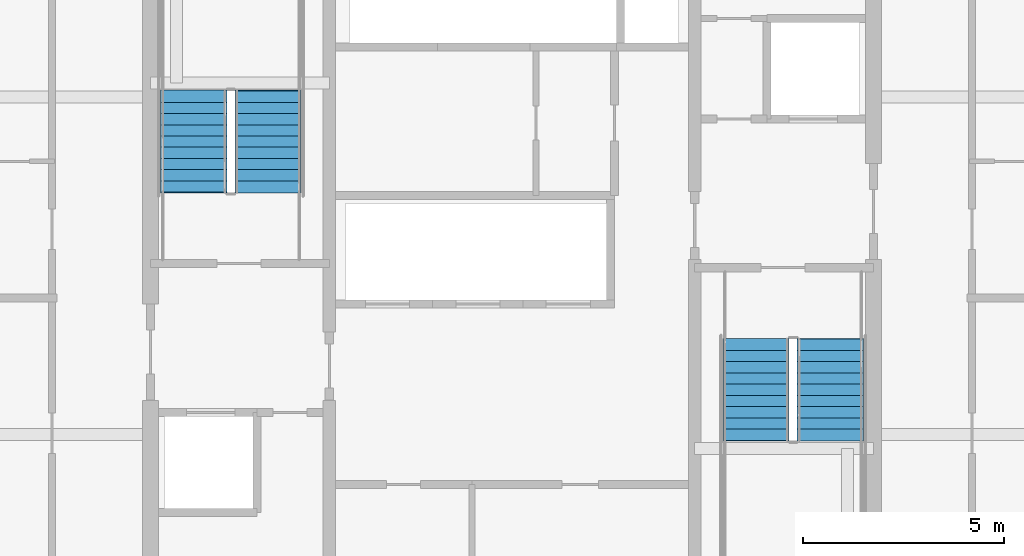
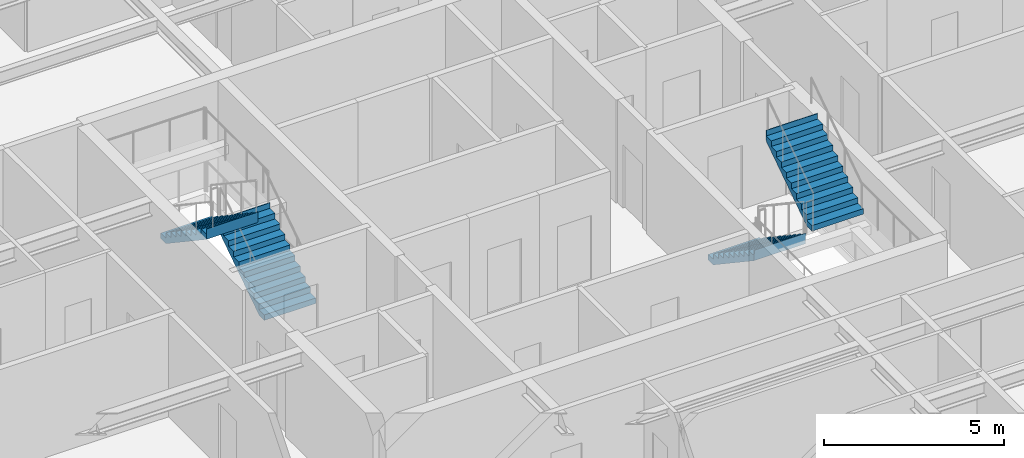
# One storey, part 29 of 34: 4 stair flights, 2 elements without a shape of their own.
"""IFC4 building model written with IfcOpenShell, lengths in metres."""

from ifc_helpers import new_model, si_unit, direction, frame, origin, place, context, subcontext, project, spatial, polygons, material, type_object, element, aggregate, save


model = new_model("IFC4")

# Units and contexts
model_context = context("Model", 3, precision=1e-05, world=origin(), true_north=direction((0.0, 1.0)))
body_context = subcontext(model_context, "Body", "Model", "MODEL_VIEW")
ifc_project = project(units=[si_unit("LENGTHUNIT", "METRE"), si_unit("AREAUNIT", "SQUARE_METRE"), si_unit("VOLUMEUNIT", "CUBIC_METRE"), si_unit("PLANEANGLEUNIT", "RADIAN"), si_unit("MASSUNIT", "GRAM", prefix="KILO")], contexts=[model_context])

# Site, building, storey
site_placement = place(None, origin())
site = spatial("IfcSite", under=ifc_project, at=site_placement, CompositionType="ELEMENT")
building_placement = place(site_placement, origin())
building = spatial("IfcBuilding", under=site, at=building_placement, Name="Serunith Strait Residences", CompositionType="ELEMENT")
storey_placement = place(building_placement, frame((0.0, 0.0, 180.14990234375)))
storey = spatial("IfcBuildingStorey", under=building, at=storey_placement, Name="L45", CompositionType="ELEMENT", Elevation=180.14990234375)

# Stair, stair flights
ifc_material = material(Name="Concrete C50/60", Category="concrete")
stair_type_1 = type_object("IfcStairType", Name="STR-CORE-1", PredefinedType="HALF_TURN_STAIR", material=ifc_material)
stair_1_placement = place(storey_placement, origin())
stair_1 = element("IfcStair", 1, at=stair_1_placement, inside=storey, type_object=stair_type_1, Name="L45 Protected Escape Stair ST-1", PredefinedType="HALF_TURN_STAIR")
stair_flight_type_1 = type_object("IfcStairFlightType", Name="FLT-CORE-1", PredefinedType="STRAIGHT", material=ifc_material)
stair_flight_1_placement = place(storey_placement, frame((26.324951171875, 27.030029296875, 0.0), z_axis=(0.0, 0.0, 1.0), x_axis=(0.0, 1.0, 0.0)))
stair_flight_1 = element("IfcStairFlight", 2, at=stair_flight_1_placement, type_object=stair_flight_type_1, Name="ST-1 flight 1", NumberOfRisers=10, NumberOfTreads=9, PredefinedType="STRAIGHT", RiserHeight=0.1875, TreadLength=0.28, context=body_context, shape_type="Tessellation", body=[
    polygons([(-0.02001953125, -0.824951171875, 0.0), (-0.02001953125, -0.824951171875, 0.1875), (0.280029296875, -0.824951171875, 0.1875), (0.280029296875, -0.824951171875, 0.375), (0.56005859375, -0.824951171875, 0.375), (0.56005859375, -0.824951171875, 0.5625), (0.840087890625, -0.824951171875, 0.5625), (0.840087890625, -0.824951171875, 0.75), (1.1201171875, -0.824951171875, 0.75), (1.1201171875, -0.824951171875, 0.9375), (1.39990234375, -0.824951171875, 0.9375), (1.39990234375, -0.824951171875, 1.125), (1.679931640625, -0.824951171875, 1.125), (1.679931640625, -0.824951171875, 1.3125), (1.9599609375, -0.824951171875, 1.3125), (1.9599609375, -0.824951171875, 1.5), (2.239990234375, -0.824951171875, 1.5), (2.239990234375, -0.824951171875, 1.6875), (2.52001953125, -0.824951171875, 1.6875), (2.52001953125, -0.824951171875, 1.875), (2.5400390625, -0.824951171875, 1.875), (2.5400390625, -0.824951171875, 1.81494140625), (2.52001953125, -0.824951171875, 1.507080078125), (0.26953125, -0.824951171875, 0.0), (-0.02001953125, -0.41259765625, 0.0), (-0.02001953125, -0.41259765625, 0.1875), (0.280029296875, -0.41259765625, 0.1875), (0.280029296875, -0.41259765625, 0.375), (0.56005859375, -0.41259765625, 0.375), (0.56005859375, -0.41259765625, 0.5625), (0.840087890625, -0.41259765625, 0.5625), (0.840087890625, -0.41259765625, 0.75), (1.1201171875, -0.41259765625, 0.75), (1.1201171875, -0.41259765625, 0.9375), (1.39990234375, -0.41259765625, 0.9375), (1.39990234375, -0.41259765625, 1.125), (1.679931640625, -0.41259765625, 1.125), (1.679931640625, -0.41259765625, 1.3125), (1.9599609375, -0.41259765625, 1.3125), (1.9599609375, -0.41259765625, 1.5), (2.239990234375, -0.41259765625, 1.5), (2.239990234375, -0.41259765625, 1.6875), (2.52001953125, -0.41259765625, 1.6875), (2.52001953125, -0.41259765625, 1.875), (2.5400390625, -0.41259765625, 1.875), (2.5400390625, -0.41259765625, 1.81494140625), (2.52001953125, -0.41259765625, 1.507080078125), (0.26953125, -0.41259765625, 0.0), (-0.02001953125, 0.0, 0.0), (-0.02001953125, 0.0, 0.1875), (0.280029296875, 0.0, 0.1875), (0.280029296875, 0.0, 0.375), (0.56005859375, 0.0, 0.375), (0.56005859375, 0.0, 0.5625), (0.840087890625, 0.0, 0.5625), (0.840087890625, 0.0, 0.75), (1.1201171875, 0.0, 0.75), (1.1201171875, 0.0, 0.9375), (1.39990234375, 0.0, 0.9375), (1.39990234375, 0.0, 1.125), (1.679931640625, 0.0, 1.125), (1.679931640625, 0.0, 1.3125), (1.9599609375, 0.0, 1.3125), (1.9599609375, 0.0, 1.5), (2.239990234375, 0.0, 1.5), (2.239990234375, 0.0, 1.6875), (2.52001953125, 0.0, 1.6875), (2.52001953125, 0.0, 1.875), (2.5400390625, 0.0, 1.875), (2.5400390625, 0.0, 1.81494140625), (2.52001953125, 0.0, 1.507080078125), (0.26953125, 0.0, 0.0), (-0.02001953125, 0.41259765625, 0.0), (-0.02001953125, 0.41259765625, 0.1875), (0.280029296875, 0.41259765625, 0.1875), (0.280029296875, 0.41259765625, 0.375), (0.56005859375, 0.41259765625, 0.375), (0.56005859375, 0.41259765625, 0.5625), (0.840087890625, 0.41259765625, 0.5625), (0.840087890625, 0.41259765625, 0.75), (1.1201171875, 0.41259765625, 0.75), (1.1201171875, 0.41259765625, 0.9375), (1.39990234375, 0.41259765625, 0.9375), (1.39990234375, 0.41259765625, 1.125), (1.679931640625, 0.41259765625, 1.125), (1.679931640625, 0.41259765625, 1.3125), (1.9599609375, 0.41259765625, 1.3125), (1.9599609375, 0.41259765625, 1.5), (2.239990234375, 0.41259765625, 1.5), (2.239990234375, 0.41259765625, 1.6875), (2.52001953125, 0.41259765625, 1.6875), (2.52001953125, 0.41259765625, 1.875), (2.5400390625, 0.41259765625, 1.875), (2.5400390625, 0.41259765625, 1.81494140625), (2.52001953125, 0.41259765625, 1.507080078125), (0.26953125, 0.41259765625, 0.0), (-0.02001953125, 0.824951171875, 0.0), (-0.02001953125, 0.824951171875, 0.1875), (0.280029296875, 0.824951171875, 0.1875), (0.280029296875, 0.824951171875, 0.375), (0.56005859375, 0.824951171875, 0.375), (0.56005859375, 0.824951171875, 0.5625), (0.840087890625, 0.824951171875, 0.5625), (0.840087890625, 0.824951171875, 0.75), (1.1201171875, 0.824951171875, 0.75), (1.1201171875, 0.824951171875, 0.9375), (1.39990234375, 0.824951171875, 0.9375), (1.39990234375, 0.824951171875, 1.125), (1.679931640625, 0.824951171875, 1.125), (1.679931640625, 0.824951171875, 1.3125), (1.9599609375, 0.824951171875, 1.3125), (1.9599609375, 0.824951171875, 1.5), (2.239990234375, 0.824951171875, 1.5), (2.239990234375, 0.824951171875, 1.6875), (2.52001953125, 0.824951171875, 1.6875), (2.52001953125, 0.824951171875, 1.875), (2.5400390625, 0.824951171875, 1.875), (2.5400390625, 0.824951171875, 1.81494140625), (2.52001953125, 0.824951171875, 1.507080078125), (0.26953125, 0.824951171875, 0.0)], [[[1, 2, 26, 25]], [[2, 3, 27, 26]], [[3, 4, 28, 27]], [[4, 5, 29, 28]], [[5, 6, 30, 29]], [[6, 7, 31, 30]], [[7, 8, 32, 31]], [[8, 9, 33, 32]], [[9, 10, 34, 33]], [[10, 11, 35, 34]], [[11, 12, 36, 35]], [[12, 13, 37, 36]], [[13, 14, 38, 37]], [[14, 15, 39, 38]], [[15, 16, 40, 39]], [[16, 17, 41, 40]], [[17, 18, 42, 41]], [[18, 19, 43, 42]], [[19, 20, 44, 43]], [[20, 21, 45, 44]], [[21, 22, 46, 45]], [[22, 23, 47, 46]], [[23, 24, 48, 47]], [[24, 1, 25, 48]], [[25, 26, 50, 49]], [[26, 27, 51, 50]], [[27, 28, 52, 51]], [[28, 29, 53, 52]], [[29, 30, 54, 53]], [[30, 31, 55, 54]], [[31, 32, 56, 55]], [[32, 33, 57, 56]], [[33, 34, 58, 57]], [[34, 35, 59, 58]], [[35, 36, 60, 59]], [[36, 37, 61, 60]], [[37, 38, 62, 61]], [[38, 39, 63, 62]], [[39, 40, 64, 63]], [[40, 41, 65, 64]], [[41, 42, 66, 65]], [[42, 43, 67, 66]], [[43, 44, 68, 67]], [[44, 45, 69, 68]], [[45, 46, 70, 69]], [[46, 47, 71, 70]], [[47, 48, 72, 71]], [[48, 25, 49, 72]], [[49, 50, 74, 73]], [[50, 51, 75, 74]], [[51, 52, 76, 75]], [[52, 53, 77, 76]], [[53, 54, 78, 77]], [[54, 55, 79, 78]], [[55, 56, 80, 79]], [[56, 57, 81, 80]], [[57, 58, 82, 81]], [[58, 59, 83, 82]], [[59, 60, 84, 83]], [[60, 61, 85, 84]], [[61, 62, 86, 85]], [[62, 63, 87, 86]], [[63, 64, 88, 87]], [[64, 65, 89, 88]], [[65, 66, 90, 89]], [[66, 67, 91, 90]], [[67, 68, 92, 91]], [[68, 69, 93, 92]], [[69, 70, 94, 93]], [[70, 71, 95, 94]], [[71, 72, 96, 95]], [[72, 49, 73, 96]], [[73, 74, 98, 97]], [[74, 75, 99, 98]], [[75, 76, 100, 99]], [[76, 77, 101, 100]], [[77, 78, 102, 101]], [[78, 79, 103, 102]], [[79, 80, 104, 103]], [[80, 81, 105, 104]], [[81, 82, 106, 105]], [[82, 83, 107, 106]], [[83, 84, 108, 107]], [[84, 85, 109, 108]], [[85, 86, 110, 109]], [[86, 87, 111, 110]], [[87, 88, 112, 111]], [[88, 89, 113, 112]], [[89, 90, 114, 113]], [[90, 91, 115, 114]], [[91, 92, 116, 115]], [[92, 93, 117, 116]], [[93, 94, 118, 117]], [[94, 95, 119, 118]], [[95, 96, 120, 119]], [[96, 73, 97, 120]], [[24, 23, 22, 21, 20, 19, 18, 17, 16, 15, 14, 13, 12, 11, 10, 9, 8, 7, 6, 5, 4, 3, 2, 1]], [[97, 98, 99, 100, 101, 102, 103, 104, 105, 106, 107, 108, 109, 110, 111, 112, 113, 114, 115, 116, 117, 118, 119, 120]]], closed=True),
])
stair_flight_2_placement = place(storey_placement, frame((24.47509765625, 29.550048828125, 1.875), z_axis=(0.0, 0.0, 1.0), x_axis=(0.0, -1.0, 0.0)))
stair_flight_2 = element("IfcStairFlight", 3, at=stair_flight_2_placement, type_object=stair_flight_type_1, Name="ST-1 flight 2", NumberOfRisers=10, NumberOfTreads=9, PredefinedType="STRAIGHT", RiserHeight=0.1875, TreadLength=0.28, context=body_context, shape_type="Tessellation", body=[
    polygons([(-0.02001953125, -0.824951171875, 0.0), (-0.02001953125, -0.824951171875, 0.1875), (0.280029296875, -0.824951171875, 0.1875), (0.280029296875, -0.824951171875, 0.375), (0.56005859375, -0.824951171875, 0.375), (0.56005859375, -0.824951171875, 0.5625), (0.840087890625, -0.824951171875, 0.5625), (0.840087890625, -0.824951171875, 0.75), (1.1201171875, -0.824951171875, 0.75), (1.1201171875, -0.824951171875, 0.9375), (1.39990234375, -0.824951171875, 0.9375), (1.39990234375, -0.824951171875, 1.125), (1.679931640625, -0.824951171875, 1.125), (1.679931640625, -0.824951171875, 1.3125), (1.9599609375, -0.824951171875, 1.3125), (1.9599609375, -0.824951171875, 1.5), (2.239990234375, -0.824951171875, 1.5), (2.239990234375, -0.824951171875, 1.6875), (2.52001953125, -0.824951171875, 1.6875), (2.52001953125, -0.824951171875, 1.875), (2.5400390625, -0.824951171875, 1.875), (2.5400390625, -0.824951171875, 1.81494140625), (2.52001953125, -0.824951171875, 1.507080078125), (0.26953125, -0.824951171875, 0.0), (-0.02001953125, -0.41259765625, 0.0), (-0.02001953125, -0.41259765625, 0.1875), (0.280029296875, -0.41259765625, 0.1875), (0.280029296875, -0.41259765625, 0.375), (0.56005859375, -0.41259765625, 0.375), (0.56005859375, -0.41259765625, 0.5625), (0.840087890625, -0.41259765625, 0.5625), (0.840087890625, -0.41259765625, 0.75), (1.1201171875, -0.41259765625, 0.75), (1.1201171875, -0.41259765625, 0.9375), (1.39990234375, -0.41259765625, 0.9375), (1.39990234375, -0.41259765625, 1.125), (1.679931640625, -0.41259765625, 1.125), (1.679931640625, -0.41259765625, 1.3125), (1.9599609375, -0.41259765625, 1.3125), (1.9599609375, -0.41259765625, 1.5), (2.239990234375, -0.41259765625, 1.5), (2.239990234375, -0.41259765625, 1.6875), (2.52001953125, -0.41259765625, 1.6875), (2.52001953125, -0.41259765625, 1.875), (2.5400390625, -0.41259765625, 1.875), (2.5400390625, -0.41259765625, 1.81494140625), (2.52001953125, -0.41259765625, 1.507080078125), (0.26953125, -0.41259765625, 0.0), (-0.02001953125, 0.0, 0.0), (-0.02001953125, 0.0, 0.1875), (0.280029296875, 0.0, 0.1875), (0.280029296875, 0.0, 0.375), (0.56005859375, 0.0, 0.375), (0.56005859375, 0.0, 0.5625), (0.840087890625, 0.0, 0.5625), (0.840087890625, 0.0, 0.75), (1.1201171875, 0.0, 0.75), (1.1201171875, 0.0, 0.9375), (1.39990234375, 0.0, 0.9375), (1.39990234375, 0.0, 1.125), (1.679931640625, 0.0, 1.125), (1.679931640625, 0.0, 1.3125), (1.9599609375, 0.0, 1.3125), (1.9599609375, 0.0, 1.5), (2.239990234375, 0.0, 1.5), (2.239990234375, 0.0, 1.6875), (2.52001953125, 0.0, 1.6875), (2.52001953125, 0.0, 1.875), (2.5400390625, 0.0, 1.875), (2.5400390625, 0.0, 1.81494140625), (2.52001953125, 0.0, 1.507080078125), (0.26953125, 0.0, 0.0), (-0.02001953125, 0.41259765625, 0.0), (-0.02001953125, 0.41259765625, 0.1875), (0.280029296875, 0.41259765625, 0.1875), (0.280029296875, 0.41259765625, 0.375), (0.56005859375, 0.41259765625, 0.375), (0.56005859375, 0.41259765625, 0.5625), (0.840087890625, 0.41259765625, 0.5625), (0.840087890625, 0.41259765625, 0.75), (1.1201171875, 0.41259765625, 0.75), (1.1201171875, 0.41259765625, 0.9375), (1.39990234375, 0.41259765625, 0.9375), (1.39990234375, 0.41259765625, 1.125), (1.679931640625, 0.41259765625, 1.125), (1.679931640625, 0.41259765625, 1.3125), (1.9599609375, 0.41259765625, 1.3125), (1.9599609375, 0.41259765625, 1.5), (2.239990234375, 0.41259765625, 1.5), (2.239990234375, 0.41259765625, 1.6875), (2.52001953125, 0.41259765625, 1.6875), (2.52001953125, 0.41259765625, 1.875), (2.5400390625, 0.41259765625, 1.875), (2.5400390625, 0.41259765625, 1.81494140625), (2.52001953125, 0.41259765625, 1.507080078125), (0.26953125, 0.41259765625, 0.0), (-0.02001953125, 0.824951171875, 0.0), (-0.02001953125, 0.824951171875, 0.1875), (0.280029296875, 0.824951171875, 0.1875), (0.280029296875, 0.824951171875, 0.375), (0.56005859375, 0.824951171875, 0.375), (0.56005859375, 0.824951171875, 0.5625), (0.840087890625, 0.824951171875, 0.5625), (0.840087890625, 0.824951171875, 0.75), (1.1201171875, 0.824951171875, 0.75), (1.1201171875, 0.824951171875, 0.9375), (1.39990234375, 0.824951171875, 0.9375), (1.39990234375, 0.824951171875, 1.125), (1.679931640625, 0.824951171875, 1.125), (1.679931640625, 0.824951171875, 1.3125), (1.9599609375, 0.824951171875, 1.3125), (1.9599609375, 0.824951171875, 1.5), (2.239990234375, 0.824951171875, 1.5), (2.239990234375, 0.824951171875, 1.6875), (2.52001953125, 0.824951171875, 1.6875), (2.52001953125, 0.824951171875, 1.875), (2.5400390625, 0.824951171875, 1.875), (2.5400390625, 0.824951171875, 1.81494140625), (2.52001953125, 0.824951171875, 1.507080078125), (0.26953125, 0.824951171875, 0.0)], [[[1, 2, 26, 25]], [[2, 3, 27, 26]], [[3, 4, 28, 27]], [[4, 5, 29, 28]], [[5, 6, 30, 29]], [[6, 7, 31, 30]], [[7, 8, 32, 31]], [[8, 9, 33, 32]], [[9, 10, 34, 33]], [[10, 11, 35, 34]], [[11, 12, 36, 35]], [[12, 13, 37, 36]], [[13, 14, 38, 37]], [[14, 15, 39, 38]], [[15, 16, 40, 39]], [[16, 17, 41, 40]], [[17, 18, 42, 41]], [[18, 19, 43, 42]], [[19, 20, 44, 43]], [[20, 21, 45, 44]], [[21, 22, 46, 45]], [[22, 23, 47, 46]], [[23, 24, 48, 47]], [[24, 1, 25, 48]], [[25, 26, 50, 49]], [[26, 27, 51, 50]], [[27, 28, 52, 51]], [[28, 29, 53, 52]], [[29, 30, 54, 53]], [[30, 31, 55, 54]], [[31, 32, 56, 55]], [[32, 33, 57, 56]], [[33, 34, 58, 57]], [[34, 35, 59, 58]], [[35, 36, 60, 59]], [[36, 37, 61, 60]], [[37, 38, 62, 61]], [[38, 39, 63, 62]], [[39, 40, 64, 63]], [[40, 41, 65, 64]], [[41, 42, 66, 65]], [[42, 43, 67, 66]], [[43, 44, 68, 67]], [[44, 45, 69, 68]], [[45, 46, 70, 69]], [[46, 47, 71, 70]], [[47, 48, 72, 71]], [[48, 25, 49, 72]], [[49, 50, 74, 73]], [[50, 51, 75, 74]], [[51, 52, 76, 75]], [[52, 53, 77, 76]], [[53, 54, 78, 77]], [[54, 55, 79, 78]], [[55, 56, 80, 79]], [[56, 57, 81, 80]], [[57, 58, 82, 81]], [[58, 59, 83, 82]], [[59, 60, 84, 83]], [[60, 61, 85, 84]], [[61, 62, 86, 85]], [[62, 63, 87, 86]], [[63, 64, 88, 87]], [[64, 65, 89, 88]], [[65, 66, 90, 89]], [[66, 67, 91, 90]], [[67, 68, 92, 91]], [[68, 69, 93, 92]], [[69, 70, 94, 93]], [[70, 71, 95, 94]], [[71, 72, 96, 95]], [[72, 49, 73, 96]], [[73, 74, 98, 97]], [[74, 75, 99, 98]], [[75, 76, 100, 99]], [[76, 77, 101, 100]], [[77, 78, 102, 101]], [[78, 79, 103, 102]], [[79, 80, 104, 103]], [[80, 81, 105, 104]], [[81, 82, 106, 105]], [[82, 83, 107, 106]], [[83, 84, 108, 107]], [[84, 85, 109, 108]], [[85, 86, 110, 109]], [[86, 87, 111, 110]], [[87, 88, 112, 111]], [[88, 89, 113, 112]], [[89, 90, 114, 113]], [[90, 91, 115, 114]], [[91, 92, 116, 115]], [[92, 93, 117, 116]], [[93, 94, 118, 117]], [[94, 95, 119, 118]], [[95, 96, 120, 119]], [[96, 73, 97, 120]], [[24, 23, 22, 21, 20, 19, 18, 17, 16, 15, 14, 13, 12, 11, 10, 9, 8, 7, 6, 5, 4, 3, 2, 1]], [[97, 98, 99, 100, 101, 102, 103, 104, 105, 106, 107, 108, 109, 110, 111, 112, 113, 114, 115, 116, 117, 118, 119, 120]]], closed=True),
])
aggregate(stair_1, [stair_flight_1, stair_flight_2])

stair_type_2 = type_object("IfcStairType", Name="STR-CORE-2", PredefinedType="HALF_TURN_STAIR", material=ifc_material)
stair_2_placement = place(storey_placement, origin())
stair_2 = element("IfcStair", 4, at=stair_2_placement, inside=storey, type_object=stair_type_2, Name="L45 Protected Escape Stair ST-2", PredefinedType="HALF_TURN_STAIR")
stair_flight_type_2 = type_object("IfcStairFlightType", Name="FLT-CORE-2", PredefinedType="STRAIGHT", material=ifc_material)
stair_flight_3_placement = place(storey_placement, frame((38.47509765625, 23.3701171875, 0.0), z_axis=(0.0, 0.0, 1.0), x_axis=(0.0, -1.0, 0.0)))
stair_flight_3 = element("IfcStairFlight", 5, at=stair_flight_3_placement, type_object=stair_flight_type_2, Name="ST-2 flight 1", NumberOfRisers=10, NumberOfTreads=9, PredefinedType="STRAIGHT", RiserHeight=0.1875, TreadLength=0.28, context=body_context, shape_type="Tessellation", body=[
    polygons([(-0.02001953125, -0.824951171875, 0.0), (-0.02001953125, -0.824951171875, 0.1875), (0.280029296875, -0.824951171875, 0.1875), (0.280029296875, -0.824951171875, 0.375), (0.56005859375, -0.824951171875, 0.375), (0.56005859375, -0.824951171875, 0.5625), (0.840087890625, -0.824951171875, 0.5625), (0.840087890625, -0.824951171875, 0.75), (1.1201171875, -0.824951171875, 0.75), (1.1201171875, -0.824951171875, 0.9375), (1.39990234375, -0.824951171875, 0.9375), (1.39990234375, -0.824951171875, 1.125), (1.679931640625, -0.824951171875, 1.125), (1.679931640625, -0.824951171875, 1.3125), (1.9599609375, -0.824951171875, 1.3125), (1.9599609375, -0.824951171875, 1.5), (2.239990234375, -0.824951171875, 1.5), (2.239990234375, -0.824951171875, 1.6875), (2.52001953125, -0.824951171875, 1.6875), (2.52001953125, -0.824951171875, 1.875), (2.5400390625, -0.824951171875, 1.875), (2.5400390625, -0.824951171875, 1.81494140625), (2.52001953125, -0.824951171875, 1.507080078125), (0.26953125, -0.824951171875, 0.0), (-0.02001953125, -0.41259765625, 0.0), (-0.02001953125, -0.41259765625, 0.1875), (0.280029296875, -0.41259765625, 0.1875), (0.280029296875, -0.41259765625, 0.375), (0.56005859375, -0.41259765625, 0.375), (0.56005859375, -0.41259765625, 0.5625), (0.840087890625, -0.41259765625, 0.5625), (0.840087890625, -0.41259765625, 0.75), (1.1201171875, -0.41259765625, 0.75), (1.1201171875, -0.41259765625, 0.9375), (1.39990234375, -0.41259765625, 0.9375), (1.39990234375, -0.41259765625, 1.125), (1.679931640625, -0.41259765625, 1.125), (1.679931640625, -0.41259765625, 1.3125), (1.9599609375, -0.41259765625, 1.3125), (1.9599609375, -0.41259765625, 1.5), (2.239990234375, -0.41259765625, 1.5), (2.239990234375, -0.41259765625, 1.6875), (2.52001953125, -0.41259765625, 1.6875), (2.52001953125, -0.41259765625, 1.875), (2.5400390625, -0.41259765625, 1.875), (2.5400390625, -0.41259765625, 1.81494140625), (2.52001953125, -0.41259765625, 1.507080078125), (0.26953125, -0.41259765625, 0.0), (-0.02001953125, 0.0, 0.0), (-0.02001953125, 0.0, 0.1875), (0.280029296875, 0.0, 0.1875), (0.280029296875, 0.0, 0.375), (0.56005859375, 0.0, 0.375), (0.56005859375, 0.0, 0.5625), (0.840087890625, 0.0, 0.5625), (0.840087890625, 0.0, 0.75), (1.1201171875, 0.0, 0.75), (1.1201171875, 0.0, 0.9375), (1.39990234375, 0.0, 0.9375), (1.39990234375, 0.0, 1.125), (1.679931640625, 0.0, 1.125), (1.679931640625, 0.0, 1.3125), (1.9599609375, 0.0, 1.3125), (1.9599609375, 0.0, 1.5), (2.239990234375, 0.0, 1.5), (2.239990234375, 0.0, 1.6875), (2.52001953125, 0.0, 1.6875), (2.52001953125, 0.0, 1.875), (2.5400390625, 0.0, 1.875), (2.5400390625, 0.0, 1.81494140625), (2.52001953125, 0.0, 1.507080078125), (0.26953125, 0.0, 0.0), (-0.02001953125, 0.41259765625, 0.0), (-0.02001953125, 0.41259765625, 0.1875), (0.280029296875, 0.41259765625, 0.1875), (0.280029296875, 0.41259765625, 0.375), (0.56005859375, 0.41259765625, 0.375), (0.56005859375, 0.41259765625, 0.5625), (0.840087890625, 0.41259765625, 0.5625), (0.840087890625, 0.41259765625, 0.75), (1.1201171875, 0.41259765625, 0.75), (1.1201171875, 0.41259765625, 0.9375), (1.39990234375, 0.41259765625, 0.9375), (1.39990234375, 0.41259765625, 1.125), (1.679931640625, 0.41259765625, 1.125), (1.679931640625, 0.41259765625, 1.3125), (1.9599609375, 0.41259765625, 1.3125), (1.9599609375, 0.41259765625, 1.5), (2.239990234375, 0.41259765625, 1.5), (2.239990234375, 0.41259765625, 1.6875), (2.52001953125, 0.41259765625, 1.6875), (2.52001953125, 0.41259765625, 1.875), (2.5400390625, 0.41259765625, 1.875), (2.5400390625, 0.41259765625, 1.81494140625), (2.52001953125, 0.41259765625, 1.507080078125), (0.26953125, 0.41259765625, 0.0), (-0.02001953125, 0.824951171875, 0.0), (-0.02001953125, 0.824951171875, 0.1875), (0.280029296875, 0.824951171875, 0.1875), (0.280029296875, 0.824951171875, 0.375), (0.56005859375, 0.824951171875, 0.375), (0.56005859375, 0.824951171875, 0.5625), (0.840087890625, 0.824951171875, 0.5625), (0.840087890625, 0.824951171875, 0.75), (1.1201171875, 0.824951171875, 0.75), (1.1201171875, 0.824951171875, 0.9375), (1.39990234375, 0.824951171875, 0.9375), (1.39990234375, 0.824951171875, 1.125), (1.679931640625, 0.824951171875, 1.125), (1.679931640625, 0.824951171875, 1.3125), (1.9599609375, 0.824951171875, 1.3125), (1.9599609375, 0.824951171875, 1.5), (2.239990234375, 0.824951171875, 1.5), (2.239990234375, 0.824951171875, 1.6875), (2.52001953125, 0.824951171875, 1.6875), (2.52001953125, 0.824951171875, 1.875), (2.5400390625, 0.824951171875, 1.875), (2.5400390625, 0.824951171875, 1.81494140625), (2.52001953125, 0.824951171875, 1.507080078125), (0.26953125, 0.824951171875, 0.0)], [[[1, 2, 26, 25]], [[2, 3, 27, 26]], [[3, 4, 28, 27]], [[4, 5, 29, 28]], [[5, 6, 30, 29]], [[6, 7, 31, 30]], [[7, 8, 32, 31]], [[8, 9, 33, 32]], [[9, 10, 34, 33]], [[10, 11, 35, 34]], [[11, 12, 36, 35]], [[12, 13, 37, 36]], [[13, 14, 38, 37]], [[14, 15, 39, 38]], [[15, 16, 40, 39]], [[16, 17, 41, 40]], [[17, 18, 42, 41]], [[18, 19, 43, 42]], [[19, 20, 44, 43]], [[20, 21, 45, 44]], [[21, 22, 46, 45]], [[22, 23, 47, 46]], [[23, 24, 48, 47]], [[24, 1, 25, 48]], [[25, 26, 50, 49]], [[26, 27, 51, 50]], [[27, 28, 52, 51]], [[28, 29, 53, 52]], [[29, 30, 54, 53]], [[30, 31, 55, 54]], [[31, 32, 56, 55]], [[32, 33, 57, 56]], [[33, 34, 58, 57]], [[34, 35, 59, 58]], [[35, 36, 60, 59]], [[36, 37, 61, 60]], [[37, 38, 62, 61]], [[38, 39, 63, 62]], [[39, 40, 64, 63]], [[40, 41, 65, 64]], [[41, 42, 66, 65]], [[42, 43, 67, 66]], [[43, 44, 68, 67]], [[44, 45, 69, 68]], [[45, 46, 70, 69]], [[46, 47, 71, 70]], [[47, 48, 72, 71]], [[48, 25, 49, 72]], [[49, 50, 74, 73]], [[50, 51, 75, 74]], [[51, 52, 76, 75]], [[52, 53, 77, 76]], [[53, 54, 78, 77]], [[54, 55, 79, 78]], [[55, 56, 80, 79]], [[56, 57, 81, 80]], [[57, 58, 82, 81]], [[58, 59, 83, 82]], [[59, 60, 84, 83]], [[60, 61, 85, 84]], [[61, 62, 86, 85]], [[62, 63, 87, 86]], [[63, 64, 88, 87]], [[64, 65, 89, 88]], [[65, 66, 90, 89]], [[66, 67, 91, 90]], [[67, 68, 92, 91]], [[68, 69, 93, 92]], [[69, 70, 94, 93]], [[70, 71, 95, 94]], [[71, 72, 96, 95]], [[72, 49, 73, 96]], [[73, 74, 98, 97]], [[74, 75, 99, 98]], [[75, 76, 100, 99]], [[76, 77, 101, 100]], [[77, 78, 102, 101]], [[78, 79, 103, 102]], [[79, 80, 104, 103]], [[80, 81, 105, 104]], [[81, 82, 106, 105]], [[82, 83, 107, 106]], [[83, 84, 108, 107]], [[84, 85, 109, 108]], [[85, 86, 110, 109]], [[86, 87, 111, 110]], [[87, 88, 112, 111]], [[88, 89, 113, 112]], [[89, 90, 114, 113]], [[90, 91, 115, 114]], [[91, 92, 116, 115]], [[92, 93, 117, 116]], [[93, 94, 118, 117]], [[94, 95, 119, 118]], [[95, 96, 120, 119]], [[96, 73, 97, 120]], [[24, 23, 22, 21, 20, 19, 18, 17, 16, 15, 14, 13, 12, 11, 10, 9, 8, 7, 6, 5, 4, 3, 2, 1]], [[97, 98, 99, 100, 101, 102, 103, 104, 105, 106, 107, 108, 109, 110, 111, 112, 113, 114, 115, 116, 117, 118, 119, 120]]], closed=True),
])
stair_flight_4_placement = place(storey_placement, frame((40.324951171875, 20.85009765625, 1.875), z_axis=(0.0, 0.0, 1.0), x_axis=(0.0, 1.0, 0.0)))
stair_flight_4 = element("IfcStairFlight", 6, at=stair_flight_4_placement, type_object=stair_flight_type_2, Name="ST-2 flight 2", NumberOfRisers=10, NumberOfTreads=9, PredefinedType="STRAIGHT", RiserHeight=0.1875, TreadLength=0.28, context=body_context, shape_type="Tessellation", body=[
    polygons([(-0.02001953125, -0.824951171875, 0.0), (-0.02001953125, -0.824951171875, 0.1875), (0.280029296875, -0.824951171875, 0.1875), (0.280029296875, -0.824951171875, 0.375), (0.56005859375, -0.824951171875, 0.375), (0.56005859375, -0.824951171875, 0.5625), (0.840087890625, -0.824951171875, 0.5625), (0.840087890625, -0.824951171875, 0.75), (1.1201171875, -0.824951171875, 0.75), (1.1201171875, -0.824951171875, 0.9375), (1.39990234375, -0.824951171875, 0.9375), (1.39990234375, -0.824951171875, 1.125), (1.679931640625, -0.824951171875, 1.125), (1.679931640625, -0.824951171875, 1.3125), (1.9599609375, -0.824951171875, 1.3125), (1.9599609375, -0.824951171875, 1.5), (2.239990234375, -0.824951171875, 1.5), (2.239990234375, -0.824951171875, 1.6875), (2.52001953125, -0.824951171875, 1.6875), (2.52001953125, -0.824951171875, 1.875), (2.5400390625, -0.824951171875, 1.875), (2.5400390625, -0.824951171875, 1.81494140625), (2.52001953125, -0.824951171875, 1.507080078125), (0.26953125, -0.824951171875, 0.0), (-0.02001953125, -0.41259765625, 0.0), (-0.02001953125, -0.41259765625, 0.1875), (0.280029296875, -0.41259765625, 0.1875), (0.280029296875, -0.41259765625, 0.375), (0.56005859375, -0.41259765625, 0.375), (0.56005859375, -0.41259765625, 0.5625), (0.840087890625, -0.41259765625, 0.5625), (0.840087890625, -0.41259765625, 0.75), (1.1201171875, -0.41259765625, 0.75), (1.1201171875, -0.41259765625, 0.9375), (1.39990234375, -0.41259765625, 0.9375), (1.39990234375, -0.41259765625, 1.125), (1.679931640625, -0.41259765625, 1.125), (1.679931640625, -0.41259765625, 1.3125), (1.9599609375, -0.41259765625, 1.3125), (1.9599609375, -0.41259765625, 1.5), (2.239990234375, -0.41259765625, 1.5), (2.239990234375, -0.41259765625, 1.6875), (2.52001953125, -0.41259765625, 1.6875), (2.52001953125, -0.41259765625, 1.875), (2.5400390625, -0.41259765625, 1.875), (2.5400390625, -0.41259765625, 1.81494140625), (2.52001953125, -0.41259765625, 1.507080078125), (0.26953125, -0.41259765625, 0.0), (-0.02001953125, 0.0, 0.0), (-0.02001953125, 0.0, 0.1875), (0.280029296875, 0.0, 0.1875), (0.280029296875, 0.0, 0.375), (0.56005859375, 0.0, 0.375), (0.56005859375, 0.0, 0.5625), (0.840087890625, 0.0, 0.5625), (0.840087890625, 0.0, 0.75), (1.1201171875, 0.0, 0.75), (1.1201171875, 0.0, 0.9375), (1.39990234375, 0.0, 0.9375), (1.39990234375, 0.0, 1.125), (1.679931640625, 0.0, 1.125), (1.679931640625, 0.0, 1.3125), (1.9599609375, 0.0, 1.3125), (1.9599609375, 0.0, 1.5), (2.239990234375, 0.0, 1.5), (2.239990234375, 0.0, 1.6875), (2.52001953125, 0.0, 1.6875), (2.52001953125, 0.0, 1.875), (2.5400390625, 0.0, 1.875), (2.5400390625, 0.0, 1.81494140625), (2.52001953125, 0.0, 1.507080078125), (0.26953125, 0.0, 0.0), (-0.02001953125, 0.41259765625, 0.0), (-0.02001953125, 0.41259765625, 0.1875), (0.280029296875, 0.41259765625, 0.1875), (0.280029296875, 0.41259765625, 0.375), (0.56005859375, 0.41259765625, 0.375), (0.56005859375, 0.41259765625, 0.5625), (0.840087890625, 0.41259765625, 0.5625), (0.840087890625, 0.41259765625, 0.75), (1.1201171875, 0.41259765625, 0.75), (1.1201171875, 0.41259765625, 0.9375), (1.39990234375, 0.41259765625, 0.9375), (1.39990234375, 0.41259765625, 1.125), (1.679931640625, 0.41259765625, 1.125), (1.679931640625, 0.41259765625, 1.3125), (1.9599609375, 0.41259765625, 1.3125), (1.9599609375, 0.41259765625, 1.5), (2.239990234375, 0.41259765625, 1.5), (2.239990234375, 0.41259765625, 1.6875), (2.52001953125, 0.41259765625, 1.6875), (2.52001953125, 0.41259765625, 1.875), (2.5400390625, 0.41259765625, 1.875), (2.5400390625, 0.41259765625, 1.81494140625), (2.52001953125, 0.41259765625, 1.507080078125), (0.26953125, 0.41259765625, 0.0), (-0.02001953125, 0.824951171875, 0.0), (-0.02001953125, 0.824951171875, 0.1875), (0.280029296875, 0.824951171875, 0.1875), (0.280029296875, 0.824951171875, 0.375), (0.56005859375, 0.824951171875, 0.375), (0.56005859375, 0.824951171875, 0.5625), (0.840087890625, 0.824951171875, 0.5625), (0.840087890625, 0.824951171875, 0.75), (1.1201171875, 0.824951171875, 0.75), (1.1201171875, 0.824951171875, 0.9375), (1.39990234375, 0.824951171875, 0.9375), (1.39990234375, 0.824951171875, 1.125), (1.679931640625, 0.824951171875, 1.125), (1.679931640625, 0.824951171875, 1.3125), (1.9599609375, 0.824951171875, 1.3125), (1.9599609375, 0.824951171875, 1.5), (2.239990234375, 0.824951171875, 1.5), (2.239990234375, 0.824951171875, 1.6875), (2.52001953125, 0.824951171875, 1.6875), (2.52001953125, 0.824951171875, 1.875), (2.5400390625, 0.824951171875, 1.875), (2.5400390625, 0.824951171875, 1.81494140625), (2.52001953125, 0.824951171875, 1.507080078125), (0.26953125, 0.824951171875, 0.0)], [[[1, 2, 26, 25]], [[2, 3, 27, 26]], [[3, 4, 28, 27]], [[4, 5, 29, 28]], [[5, 6, 30, 29]], [[6, 7, 31, 30]], [[7, 8, 32, 31]], [[8, 9, 33, 32]], [[9, 10, 34, 33]], [[10, 11, 35, 34]], [[11, 12, 36, 35]], [[12, 13, 37, 36]], [[13, 14, 38, 37]], [[14, 15, 39, 38]], [[15, 16, 40, 39]], [[16, 17, 41, 40]], [[17, 18, 42, 41]], [[18, 19, 43, 42]], [[19, 20, 44, 43]], [[20, 21, 45, 44]], [[21, 22, 46, 45]], [[22, 23, 47, 46]], [[23, 24, 48, 47]], [[24, 1, 25, 48]], [[25, 26, 50, 49]], [[26, 27, 51, 50]], [[27, 28, 52, 51]], [[28, 29, 53, 52]], [[29, 30, 54, 53]], [[30, 31, 55, 54]], [[31, 32, 56, 55]], [[32, 33, 57, 56]], [[33, 34, 58, 57]], [[34, 35, 59, 58]], [[35, 36, 60, 59]], [[36, 37, 61, 60]], [[37, 38, 62, 61]], [[38, 39, 63, 62]], [[39, 40, 64, 63]], [[40, 41, 65, 64]], [[41, 42, 66, 65]], [[42, 43, 67, 66]], [[43, 44, 68, 67]], [[44, 45, 69, 68]], [[45, 46, 70, 69]], [[46, 47, 71, 70]], [[47, 48, 72, 71]], [[48, 25, 49, 72]], [[49, 50, 74, 73]], [[50, 51, 75, 74]], [[51, 52, 76, 75]], [[52, 53, 77, 76]], [[53, 54, 78, 77]], [[54, 55, 79, 78]], [[55, 56, 80, 79]], [[56, 57, 81, 80]], [[57, 58, 82, 81]], [[58, 59, 83, 82]], [[59, 60, 84, 83]], [[60, 61, 85, 84]], [[61, 62, 86, 85]], [[62, 63, 87, 86]], [[63, 64, 88, 87]], [[64, 65, 89, 88]], [[65, 66, 90, 89]], [[66, 67, 91, 90]], [[67, 68, 92, 91]], [[68, 69, 93, 92]], [[69, 70, 94, 93]], [[70, 71, 95, 94]], [[71, 72, 96, 95]], [[72, 49, 73, 96]], [[73, 74, 98, 97]], [[74, 75, 99, 98]], [[75, 76, 100, 99]], [[76, 77, 101, 100]], [[77, 78, 102, 101]], [[78, 79, 103, 102]], [[79, 80, 104, 103]], [[80, 81, 105, 104]], [[81, 82, 106, 105]], [[82, 83, 107, 106]], [[83, 84, 108, 107]], [[84, 85, 109, 108]], [[85, 86, 110, 109]], [[86, 87, 111, 110]], [[87, 88, 112, 111]], [[88, 89, 113, 112]], [[89, 90, 114, 113]], [[90, 91, 115, 114]], [[91, 92, 116, 115]], [[92, 93, 117, 116]], [[93, 94, 118, 117]], [[94, 95, 119, 118]], [[95, 96, 120, 119]], [[96, 73, 97, 120]], [[24, 23, 22, 21, 20, 19, 18, 17, 16, 15, 14, 13, 12, 11, 10, 9, 8, 7, 6, 5, 4, 3, 2, 1]], [[97, 98, 99, 100, 101, 102, 103, 104, 105, 106, 107, 108, 109, 110, 111, 112, 113, 114, 115, 116, 117, 118, 119, 120]]], closed=True),
])
aggregate(stair_2, [stair_flight_3, stair_flight_4])

save(model, "model.ifc")
